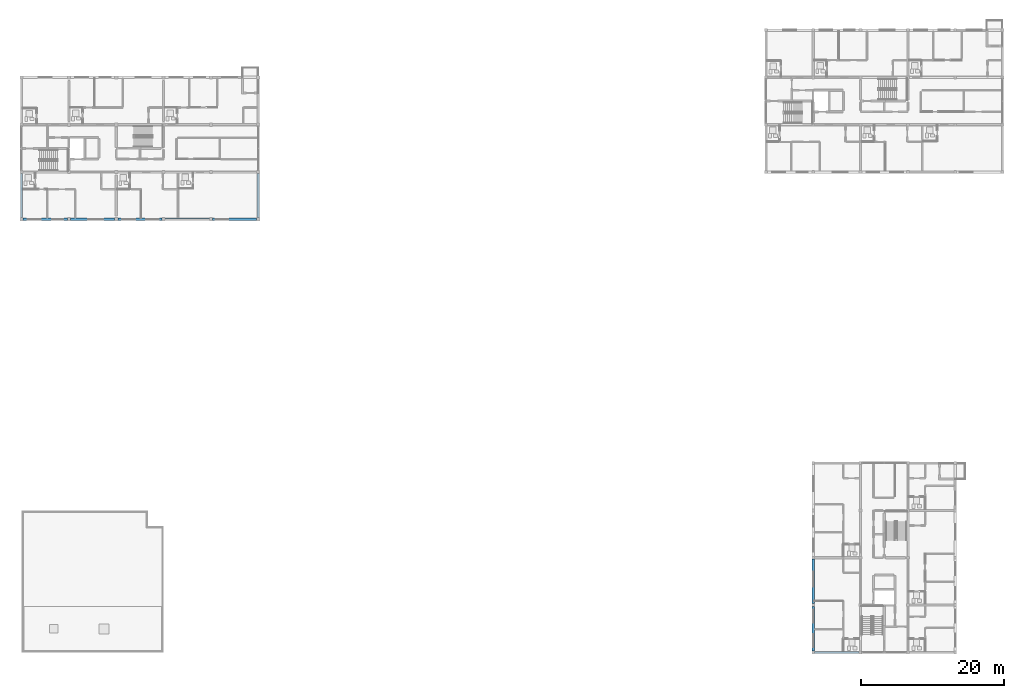
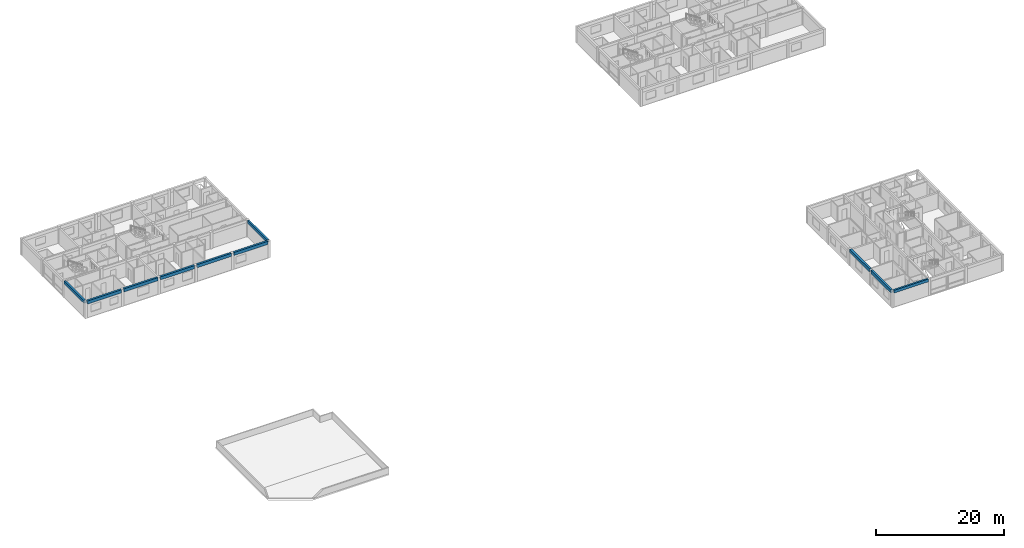
# One storey, part 4 of 34: 10 beams.
"""IFC4 building model written with IfcOpenShell, lengths in metres."""

from ifc_helpers import new_model, si_unit, direction, frame, origin, origin_2d, place, context, subcontext, project, spatial, rectangle, extrude, material, material_profile, profile_set, type_object, element, save


model = new_model("IFC4")

# Units and contexts
model_context = context("Model", 3, precision=1e-05, world=origin(), true_north=direction((0.0, 1.0)))
body_context = subcontext(model_context, "Body", "Model", "MODEL_VIEW")
ifc_project = project(units=[si_unit("LENGTHUNIT", "METRE"), si_unit("AREAUNIT", "SQUARE_METRE"), si_unit("VOLUMEUNIT", "CUBIC_METRE"), si_unit("PLANEANGLEUNIT", "RADIAN"), si_unit("MASSUNIT", "GRAM", prefix="KILO")], contexts=[model_context])

# Site, building, storey
site_placement = place(None, origin())
site = spatial("IfcSite", under=ifc_project, at=site_placement, CompositionType="ELEMENT")
building_placement = place(site_placement, origin())
building = spatial("IfcBuilding", under=site, at=building_placement, Name="Kernevlak Ridge Housing Community", CompositionType="ELEMENT")
storey_placement = place(building_placement, frame((0.0, 0.0, 34.0)))
storey = spatial("IfcBuildingStorey", under=building, at=storey_placement, Name="L10", CompositionType="ELEMENT", Elevation=34.0)

# Beams
ifc_material = material(Name="Concrete C35/45", Category="concrete")
ifc_material_profile_1 = material_profile(ifc_material, rectangle(XDim=0.300048828125, YDim=0.550048828125, at=origin_2d()), Name="RC 300x550")
ifc_profile_set_1 = profile_set([ifc_material_profile_1], Name="Concrete C35/45")
beam_type_1 = type_object("IfcBeamType", Name="SP-01", PredefinedType="SPANDREL", material=ifc_profile_set_1)
for number, where, z_axis, x_axis, name in (
    (1, (15.60009765625, 76.22509765625, 2.925048828125), (0.0, 1.0, 0.0), (-1.0, 0.0, 0.0), "Beam SP-01 L10 337"),
    (2, (48.60009765625, 76.22509765625, 2.925048828125), (0.0, 1.0, 0.0), (-1.0, 0.0, 0.0), "Beam SP-01 L10 340"),
):
    element("IfcBeam", number, at=place(storey_placement, frame(where, z_axis=z_axis, x_axis=x_axis)), inside=storey, type_object=beam_type_1, Name=name, PredefinedType="SPANDREL", context=body_context, shape_type="SweptSolid", body=[
        extrude(rectangle(XDim=0.300048828125, YDim=0.550048828125, at=origin_2d()), origin(), (0.0, 0.0, 1.0), 6.14990234375),
    ])
beam_1_placement = place(storey_placement, frame((126.199951171875, 15.60009765625, 2.925048828125), z_axis=(1.0, 0.0, 0.0), x_axis=(0.0, 1.0, 0.0)))
element("IfcBeam", 3, at=beam_1_placement, inside=storey, type_object=beam_type_1, Name="Beam SP-01 L10 1238", PredefinedType="SPANDREL", context=body_context, shape_type="SweptSolid", body=[
    extrude(rectangle(XDim=0.300048828125, YDim=0.550048828125, at=origin_2d()), origin(), (0.0, 0.0, 1.0), 6.199951171875),
])
ifc_material_profile_2 = material_profile(ifc_material, rectangle(XDim=0.35009765625, YDim=0.60009765625, at=origin_2d()), Name="RC 350x600")
ifc_profile_set_2 = profile_set([ifc_material_profile_2], Name="Concrete C35/45")
beam_type_2 = type_object("IfcBeamType", Name="SP-03", PredefinedType="SPANDREL", material=ifc_profile_set_2)
beam_2_placement = place(storey_placement, frame((15.824951171875, 76.0, 2.89990234375), z_axis=(1.0, 0.0, 0.0), x_axis=(0.0, 1.0, 0.0)))
element("IfcBeam", 4, at=beam_2_placement, inside=storey, type_object=beam_type_2, Name="Beam SP-03 L10 317", PredefinedType="SPANDREL", context=body_context, shape_type="SweptSolid", body=[
    extrude(rectangle(XDim=0.35009765625, YDim=0.60009765625, at=origin_2d()), origin(), (0.0, 0.0, 1.0), 6.150146484375),
])
beam_3_placement = place(storey_placement, frame((22.425048828125, 76.0, 2.89990234375), z_axis=(1.0, 0.0, 0.0), x_axis=(0.0, 1.0, 0.0)))
element("IfcBeam", 5, at=beam_3_placement, inside=storey, type_object=beam_type_2, Name="Beam SP-03 L10 318", PredefinedType="SPANDREL", context=body_context, shape_type="SweptSolid", body=[
    extrude(rectangle(XDim=0.35009765625, YDim=0.60009765625, at=origin_2d()), origin(), (0.0, 0.0, 1.0), 6.14990234375),
])
beam_4_placement = place(storey_placement, frame((29.02490234375, 76.0, 2.89990234375), z_axis=(1.0, 0.0, 0.0), x_axis=(0.0, 1.0, 0.0)))
element("IfcBeam", 6, at=beam_4_placement, inside=storey, type_object=beam_type_2, Name="Beam SP-03 L10 319", PredefinedType="SPANDREL", context=body_context, shape_type="SweptSolid", body=[
    extrude(rectangle(XDim=0.35009765625, YDim=0.60009765625, at=origin_2d()), origin(), (0.0, 0.0, 1.0), 6.150146484375),
])
for number, where, z_axis, x_axis, name in (
    (7, (35.625, 76.0, 2.89990234375), (1.0, 0.0, 0.0), (0.0, 1.0, 0.0), "Beam SP-03 L10 320"),
    (8, (42.22509765625, 76.0, 2.89990234375), (1.0, 0.0, 0.0), (0.0, 1.0, 0.0), "Beam SP-03 L10 321"),
):
    element("IfcBeam", number, at=place(storey_placement, frame(where, z_axis=z_axis, x_axis=x_axis)), inside=storey, type_object=beam_type_2, Name=name, PredefinedType="SPANDREL", context=body_context, shape_type="SweptSolid", body=[
        extrude(rectangle(XDim=0.35009765625, YDim=0.60009765625, at=origin_2d()), origin(), (0.0, 0.0, 1.0), 6.14990234375),
    ])
beam_5_placement = place(storey_placement, frame((126.0, 15.800048828125, 2.89990234375), z_axis=(0.0, 1.0, 0.0), x_axis=(-1.0, 0.0, 0.0)))
element("IfcBeam", 9, at=beam_5_placement, inside=storey, type_object=beam_type_2, Name="Beam SP-03 L10 1222", PredefinedType="SPANDREL", context=body_context, shape_type="SweptSolid", body=[
    extrude(rectangle(XDim=0.35009765625, YDim=0.60009765625, at=origin_2d()), origin(), (0.0, 0.0, 1.0), 6.199951171875),
])
beam_6_placement = place(storey_placement, frame((126.0, 22.39990234375, 2.89990234375), z_axis=(0.0, 1.0, 0.0), x_axis=(-1.0, 0.0, 0.0)))
element("IfcBeam", 10, at=beam_6_placement, inside=storey, type_object=beam_type_2, Name="Beam SP-03 L10 1223", PredefinedType="SPANDREL", context=body_context, shape_type="SweptSolid", body=[
    extrude(rectangle(XDim=0.35009765625, YDim=0.60009765625, at=origin_2d()), origin(), (0.0, 0.0, 1.0), 6.2001953125),
])

save(model, "model.ifc")
